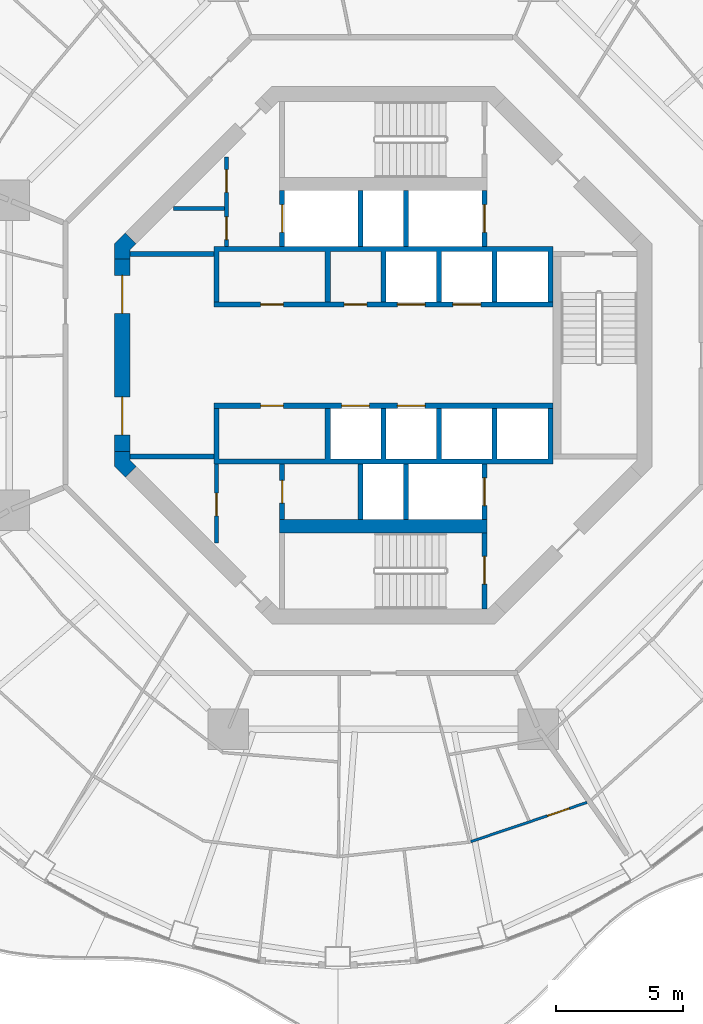
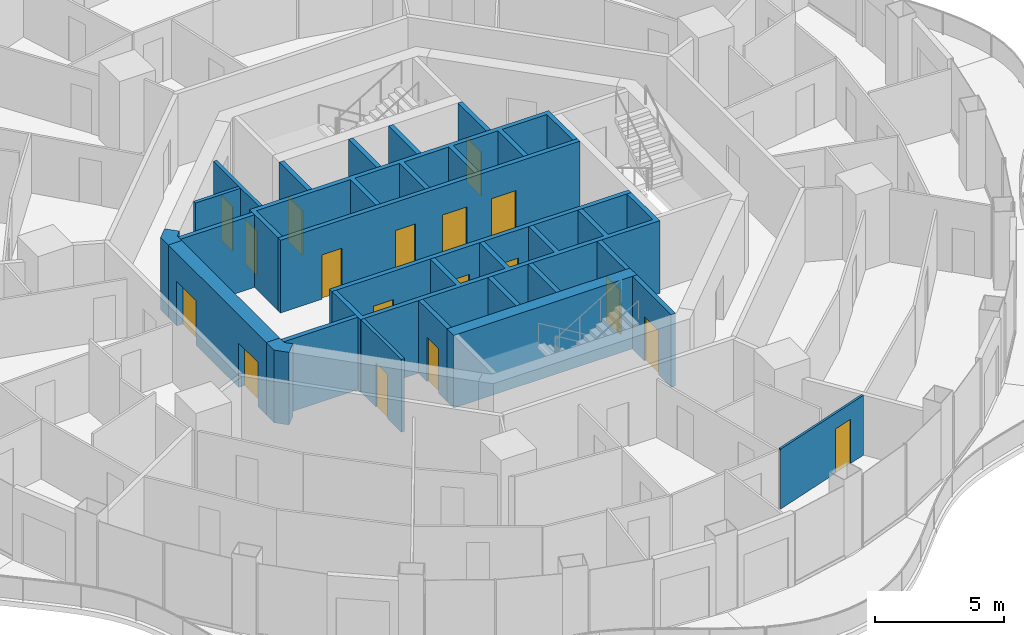
# One storey, part 11 of 18: 23 walls, 18 doors, 18 openings.
"""IFC4 building model written with IfcOpenShell, lengths in metres."""

from ifc_helpers import new_model, si_unit, direction, frame, frame_2d, origin, place, context, subcontext, project, spatial, polyline, rectangle, outline, extrude, material, layer, layer_set, type_object, element, fill, save


model = new_model("IFC4")

# Units and contexts
model_context = context("Model", 3, precision=1e-05, world=origin(), true_north=direction((0.0, 1.0)))
body_context = subcontext(model_context, "Body", "Model", "MODEL_VIEW")
ifc_project = project(units=[si_unit("LENGTHUNIT", "METRE"), si_unit("AREAUNIT", "SQUARE_METRE"), si_unit("VOLUMEUNIT", "CUBIC_METRE"), si_unit("PLANEANGLEUNIT", "RADIAN"), si_unit("MASSUNIT", "GRAM", prefix="KILO")], contexts=[model_context])

# Site, building, storey
site_placement = place(None, origin())
site = spatial("IfcSite", under=ifc_project, at=site_placement, CompositionType="ELEMENT")
building_placement = place(site_placement, origin())
building = spatial("IfcBuilding", under=site, at=building_placement, Name="Nagisa Residences", CompositionType="ELEMENT")
storey_placement = place(building_placement, frame((0.0, 0.0, 219.60009765625)))
storey = spatial("IfcBuildingStorey", under=building, at=storey_placement, Name="L55", CompositionType="ELEMENT", Elevation=219.60009765625)

# Wall, opening, door
ifc_material_1 = material(Name="Gypsum board on steel studs", Category="steel")
ifc_layer_1 = layer(ifc_material_1, 0.10009765625)
ifc_layer_set_1 = layer_set([ifc_layer_1], Name="Apartment partition 100")
wall_type_1 = type_object("IfcWallType", Name="Apartment partition 100", PredefinedType="PARTITIONING", material=ifc_layer_set_1)
wall_1_placement = place(storey_placement, frame((3.453125, -19.228759765625, 0.0), z_axis=(0.0, 0.0, 1.0), x_axis=(0.947565610716, 0.31956128268, 0.0)))
wall_1 = element("IfcWall", 1, at=wall_1_placement, inside=storey, type_object=wall_type_1, Name="wall:L55:u80", PredefinedType="PARTITIONING", context=body_context, shape_type="SweptSolid", body=[
    extrude(rectangle(XDim=4.852783203125, YDim=0.10009765625, at=frame_2d((2.42626953125, 0.0))), origin(), (0.0, 0.0, 1.0), 2.8369140625),
])
opening_1_placement = place(wall_1_placement, frame((3.2021484375, 0.0, 0.0)))
opening_1 = element("IfcOpeningElement", 2, at=opening_1_placement, cuts=wall_1, Name="Opening L55-U38", PredefinedType="OPENING", context=body_context, shape_type="SweptSolid", body=[
    extrude(rectangle(XDim=0.89990234375, YDim=2.10009765625, at=frame_2d((0.449951171875, 1.050048828125))), frame((0.0, 0.06005859375, 0.0), z_axis=(0.0, -1.0, 0.0), x_axis=(1.0, 0.0, 0.0)), (0.0, 0.0, 1.0), 0.1201171875),
])
ifc_material_2 = material(Name="Timber door set", Category="wood")
door_type_1 = type_object("IfcDoorType", Name="Apartment door 900x2100", OperationType="NOTDEFINED", PredefinedType="DOOR", material=ifc_material_2)
door_1_placement = place(opening_1_placement, origin())
door_1 = element("IfcDoor", 3, at=door_1_placement, inside=storey, type_object=door_type_1, Name="Door to en-suite bathroom, Apartment 55C", OperationType="SINGLE_SWING_RIGHT", OverallHeight=2.10009765625, OverallWidth=0.89990234375, PredefinedType="DOOR", context=body_context, shape_type="SweptSolid", body=[
    extrude(rectangle(XDim=0.89990234375, YDim=2.10009765625, at=frame_2d((0.449951171875, 1.050048828125))), frame((0.0, 0.02490234375, 0.0), z_axis=(0.0, -1.0, 0.0), x_axis=(1.0, 0.0, 0.0)), (0.0, 0.0, 1.0), 0.050048828125),
])
fill(opening_1, door_1)

# Wall, openings, doors
ifc_material_3 = material(Name="Gypsum board on steel studs", Category="steel")
ifc_layer_2 = layer(ifc_material_3, 0.14990234375)
ifc_layer_set_2 = layer_set([ifc_layer_2], Name="Core partition 150")
wall_type_2 = type_object("IfcWallType", Name="Core partition 150", PredefinedType="PARTITIONING", material=ifc_layer_set_2)
wall_2_placement = place(storey_placement, frame((-6.199951171875, 4.300048828125, 0.0), z_axis=(0.0, 0.0, 1.0), x_axis=(0.0, 1.0, 0.0)))
wall_2 = element("IfcWall", 4, at=wall_2_placement, inside=storey, type_object=wall_type_2, Name="wall:L55:NWp", PredefinedType="PARTITIONING", context=body_context, shape_type="SweptSolid", body=[
    extrude(rectangle(XDim=3.52685546875, YDim=0.14990234375, at=frame_2d((1.763427734375, 0.0))), origin(), (0.0, 0.0, 1.0), 3.43994140625),
])
opening_2_placement = place(wall_2_placement, frame((0.262451171875, 0.0, 0.0)))
opening_2 = element("IfcOpeningElement", 5, at=opening_2_placement, cuts=wall_2, Name="Opening L55-C11", PredefinedType="OPENING", context=body_context, shape_type="SweptSolid", body=[
    extrude(rectangle(XDim=0.89990234375, YDim=2.10009765625, at=frame_2d((0.449951171875, 1.050048828125))), frame((0.0, 0.0849609375, 0.0), z_axis=(0.0, -1.0, 0.0), x_axis=(1.0, 0.0, 0.0)), (0.0, 0.0, 1.0), 0.169921875),
])
opening_3_placement = place(wall_2_placement, frame((2.138427734375, 0.0, 0.0)))
opening_3 = element("IfcOpeningElement", 6, at=opening_3_placement, cuts=wall_2, Name="Opening L55-C12", PredefinedType="OPENING", context=body_context, shape_type="SweptSolid", body=[
    extrude(rectangle(XDim=0.89990234375, YDim=2.10009765625, at=frame_2d((0.449951171875, 1.050048828125))), frame((0.0, 0.0849609375, 0.0), z_axis=(0.0, -1.0, 0.0), x_axis=(1.0, 0.0, 0.0)), (0.0, 0.0, 1.0), 0.169921875),
])
ifc_material_4 = material(Name="Steel fire door", Category="steel")
door_type_2 = type_object("IfcDoorType", Name="Fire door EI30 900x2100 single swing", OperationType="NOTDEFINED", PredefinedType="DOOR", material=ifc_material_4)
door_2_placement = place(opening_2_placement, origin())
door_2 = element("IfcDoor", 7, at=door_2_placement, inside=storey, type_object=door_type_2, Name="Package room door L55", OperationType="SINGLE_SWING_RIGHT", OverallHeight=2.10009765625, OverallWidth=0.89990234375, PredefinedType="DOOR", context=body_context, shape_type="SweptSolid", body=[
    extrude(rectangle(XDim=0.89990234375, YDim=2.10009765625, at=frame_2d((0.449951171875, 1.050048828125))), frame((0.0, 0.02490234375, 0.0), z_axis=(0.0, -1.0, 0.0), x_axis=(1.0, 0.0, 0.0)), (0.0, 0.0, 1.0), 0.050048828125),
])
fill(opening_2, door_2)
door_3_placement = place(opening_3_placement, origin())
door_3 = element("IfcDoor", 8, at=door_3_placement, inside=storey, type_object=door_type_2, Name="Valet store door L55", OperationType="SINGLE_SWING_RIGHT", OverallHeight=2.10009765625, OverallWidth=0.89990234375, PredefinedType="DOOR", context=body_context, shape_type="SweptSolid", body=[
    extrude(rectangle(XDim=0.89990234375, YDim=2.10009765625, at=frame_2d((0.449951171875, 1.050048828125))), frame((0.0, 0.02490234375, 0.0), z_axis=(0.0, -1.0, 0.0), x_axis=(1.0, 0.0, 0.0)), (0.0, 0.0, 1.0), 0.050048828125),
])
fill(opening_3, door_3)

# Wall, opening, door
wall_3_placement = place(storey_placement, frame((-6.60009765625, -7.427001953125, 0.0), z_axis=(0.0, 0.0, 1.0), x_axis=(0.0, 1.0, 0.0)))
wall_3 = element("IfcWall", 9, at=wall_3_placement, inside=storey, type_object=wall_type_2, Name="wall:L55:SWp", PredefinedType="PARTITIONING", context=body_context, shape_type="SweptSolid", body=[
    extrude(rectangle(XDim=3.126953125, YDim=0.14990234375, at=frame_2d((1.5634765625, 0.0))), origin(), (0.0, 0.0, 1.0), 3.43994140625),
])
opening_4_placement = place(wall_3_placement, frame((1.075927734375, 0.0, 0.0)))
opening_4 = element("IfcOpeningElement", 10, at=opening_4_placement, cuts=wall_3, Name="Opening L55-C13", PredefinedType="OPENING", context=body_context, shape_type="SweptSolid", body=[
    extrude(rectangle(XDim=0.89990234375, YDim=2.10009765625, at=frame_2d((0.449951171875, 1.050048828125))), frame((0.0, 0.0849609375, 0.0), z_axis=(0.0, -1.0, 0.0), x_axis=(1.0, 0.0, 0.0)), (0.0, 0.0, 1.0), 0.169921875),
])
door_4_placement = place(opening_4_placement, origin())
door_4 = element("IfcDoor", 11, at=door_4_placement, inside=storey, type_object=door_type_2, Name="Janitor door L55", OperationType="SINGLE_SWING_RIGHT", OverallHeight=2.10009765625, OverallWidth=0.89990234375, PredefinedType="DOOR", context=body_context, shape_type="SweptSolid", body=[
    extrude(rectangle(XDim=0.89990234375, YDim=2.10009765625, at=frame_2d((0.449951171875, 1.050048828125))), frame((0.0, 0.02490234375, 0.0), z_axis=(0.0, -1.0, 0.0), x_axis=(1.0, 0.0, 0.0)), (0.0, 0.0, 1.0), 0.050048828125),
])
fill(opening_4, door_4)

# Walls
wall_4_placement = place(storey_placement, frame((-8.301025390625, 5.800048828125, 0.0), z_axis=(0.0, 0.0, 1.0), x_axis=(1.0, 0.0, 0.0)))
element("IfcWall", 12, at=wall_4_placement, inside=storey, type_object=wall_type_2, Name="wall:L55:NWq", PredefinedType="PARTITIONING", context=body_context, shape_type="SweptSolid", body=[
    extrude(rectangle(XDim=2.026123046875, YDim=0.14990234375, at=frame_2d((1.01318359375, 0.0))), origin(), (0.0, 0.0, 1.0), 3.43994140625),
])
ifc_material_5 = material(Name="Gypsum board on steel studs", Category="steel")
ifc_layer_3 = layer(ifc_material_5, 0.199951171875)
ifc_layer_set_3 = layer_set([ifc_layer_3], Name="Core partition 200")
wall_type_3 = type_object("IfcWallType", Name="Core partition 200", PredefinedType="PARTITIONING", material=ifc_layer_set_3)
for number, where, z_axis, x_axis, name in (
    (13, (-10.024658203125, -4.0, 0.0), (0.0, 0.0, 1.0), (1.0, 0.0, 0.0), "wall:L55:PSW"),
    (14, (-10.024658203125, 4.0, 0.0), (0.0, 0.0, 1.0), (1.0, 0.0, 0.0), "wall:L55:PNW"),
):
    element("IfcWall", number, at=place(storey_placement, frame(where, z_axis=z_axis, x_axis=x_axis)), inside=storey, type_object=wall_type_3, Name=name, PredefinedType="PARTITIONING", context=body_context, shape_type="SweptSolid", body=[
        extrude(rectangle(XDim=3.32470703125, YDim=0.199951171875, at=frame_2d((1.662353515625, 0.0))), origin(), (0.0, 0.0, 1.0), 3.43994140625),
    ])

# Wall, openings, doors
ifc_material_6 = material(Name="Concrete C60", Category="concrete")
ifc_layer_4 = layer(ifc_material_6, 0.60009765625)
ifc_layer_set_4 = layer_set([ifc_layer_4], Name="Core shear wall 600")
wall_type_4 = type_object("IfcWallType", Name="Core shear wall 600", PredefinedType="SHEAR", material=ifc_layer_set_4)
wall_5_placement = place(storey_placement, frame((-10.32470703125, 3.80078125, 0.0), z_axis=(0.0, 0.0, 1.0), x_axis=(0.0, -1.0, 0.0)))
wall_5 = element("IfcWall", 15, at=wall_5_placement, inside=storey, type_object=wall_type_4, Name="wall:L55:core:flat4", PredefinedType="SHEAR", context=body_context, shape_type="SweptSolid", body=[
    extrude(rectangle(XDim=7.6015625, YDim=0.60009765625, at=frame_2d((3.80078125, 0.0))), origin(), (0.0, 0.0, 1.0), 3.43994140625),
])
opening_5_placement = place(wall_5_placement, frame((0.65087890625, 0.0, 0.0)))
opening_5 = element("IfcOpeningElement", 16, at=opening_5_placement, cuts=wall_5, Name="Opening L55-C20", PredefinedType="OPENING", context=body_context, shape_type="SweptSolid", body=[
    extrude(rectangle(XDim=1.5, YDim=2.10009765625, at=frame_2d((0.75, 1.050048828125))), frame((0.0, 0.31005859375, 0.0), z_axis=(0.0, -1.0, 0.0), x_axis=(1.0, 0.0, 0.0)), (0.0, 0.0, 1.0), 0.6201171875),
])
opening_6_placement = place(wall_5_placement, frame((5.450927734375, 0.0, 0.0)))
opening_6 = element("IfcOpeningElement", 17, at=opening_6_placement, cuts=wall_5, Name="Opening L55-C21", PredefinedType="OPENING", context=body_context, shape_type="SweptSolid", body=[
    extrude(rectangle(XDim=1.5, YDim=2.10009765625, at=frame_2d((0.75, 1.050048828125))), frame((0.0, 0.31005859375, 0.0), z_axis=(0.0, -1.0, 0.0), x_axis=(1.0, 0.0, 0.0)), (0.0, 0.0, 1.0), 0.6201171875),
])
ifc_material_7 = material(Name="Steel fire door", Category="steel")
door_type_3 = type_object("IfcDoorType", Name="Fire door EI60 1500x2100 double door single swing", OperationType="DOUBLE_DOOR_SINGLE_SWING", PredefinedType="DOOR", material=ifc_material_7)
door_5_placement = place(opening_5_placement, origin())
door_5 = element("IfcDoor", 18, at=door_5_placement, inside=storey, type_object=door_type_3, Name="Lift lobby door L55 1", OperationType="DOUBLE_DOOR_SINGLE_SWING", OverallHeight=2.10009765625, OverallWidth=1.5, PredefinedType="DOOR", context=body_context, shape_type="SweptSolid", body=[
    extrude(rectangle(XDim=1.5, YDim=2.10009765625, at=frame_2d((0.75, 1.050048828125))), frame((0.0, 0.02490234375, 0.0), z_axis=(0.0, -1.0, 0.0), x_axis=(1.0, 0.0, 0.0)), (0.0, 0.0, 1.0), 0.050048828125),
])
fill(opening_5, door_5)
door_6_placement = place(opening_6_placement, origin())
door_6 = element("IfcDoor", 19, at=door_6_placement, inside=storey, type_object=door_type_3, Name="Lift lobby door L55 2", OperationType="DOUBLE_DOOR_SINGLE_SWING", OverallHeight=2.10009765625, OverallWidth=1.5, PredefinedType="DOOR", context=body_context, shape_type="SweptSolid", body=[
    extrude(rectangle(XDim=1.5, YDim=2.10009765625, at=frame_2d((0.75, 1.050048828125))), frame((0.0, 0.02490234375, 0.0), z_axis=(0.0, -1.0, 0.0), x_axis=(1.0, 0.0, 0.0)), (0.0, 0.0, 1.0), 0.050048828125),
])
fill(opening_6, door_6)

# Walls
wall_6_placement = place(storey_placement, origin())
element("IfcWall", 20, at=wall_6_placement, inside=storey, type_object=wall_type_4, Name="wall:L55:core:pier4", PredefinedType="SHEAR", context=body_context, shape_type="SweptSolid", body=[
    extrude(outline(polyline([(-10.62451171875, -3.80078125), (-10.024658203125, -3.80078125), (-10.024658203125, -4.15234375), (-9.776123046875, -4.40087890625), (-10.200439453125, -4.8251953125), (-10.62451171875, -4.40087890625), (-10.62451171875, -3.80078125)])), origin(), (0.0, 0.0, 1.0), 3.43994140625),
])
wall_7_placement = place(storey_placement, origin())
element("IfcWall", 21, at=wall_7_placement, inside=storey, type_object=wall_type_4, Name="wall:L55:core:pier3", PredefinedType="SHEAR", context=body_context, shape_type="SweptSolid", body=[
    extrude(outline(polyline([(-10.200439453125, 4.8251953125), (-9.776123046875, 4.40087890625), (-10.024658203125, 4.15234375), (-10.024658203125, 3.80078125), (-10.62451171875, 3.80078125), (-10.62451171875, 4.40087890625), (-10.200439453125, 4.8251953125)])), origin(), (0.0, 0.0, 1.0), 3.43994140625),
])

# Wall, opening, door
ifc_material_8 = material(Name="Concrete C60", Category="concrete")
ifc_layer_5 = layer(ifc_material_8, 0.199951171875)
ifc_layer_set_5 = layer_set([ifc_layer_5], Name="Lift shaft wall 200")
wall_type_5 = type_object("IfcWallType", Name="Lift shaft wall 200", PredefinedType="SOLIDWALL", material=ifc_layer_set_5)
wall_8_placement = place(storey_placement, frame((4.0, 4.300048828125, 0.0), z_axis=(0.0, 0.0, 1.0), x_axis=(0.0, 1.0, 0.0)))
wall_8 = element("IfcWall", 22, at=wall_8_placement, inside=storey, type_object=wall_type_5, Name="wall:L55:Nb3", PredefinedType="SOLIDWALL", context=body_context, shape_type="SweptSolid", body=[
    extrude(rectangle(XDim=2.199951171875, YDim=0.199951171875, at=frame_2d((1.10009765625, 0.0))), origin(), (0.0, 0.0, 1.0), 3.43994140625),
])
opening_7_placement = place(wall_8_placement, frame((0.550048828125, 0.0, 0.0)))
opening_7 = element("IfcOpeningElement", 23, at=opening_7_placement, cuts=wall_8, Name="Opening L55-C05", PredefinedType="OPENING", context=body_context, shape_type="SweptSolid", body=[
    extrude(rectangle(XDim=1.10009765625, YDim=2.10009765625, at=frame_2d((0.550048828125, 1.050048828125))), frame((0.0, 0.10986328125, 0.0), z_axis=(0.0, -1.0, 0.0), x_axis=(1.0, 0.0, 0.0)), (0.0, 0.0, 1.0), 0.219970703125),
])
ifc_material_9 = material(Name="Stainless steel", Category="steel")
door_type_4 = type_object("IfcDoorType", Name="Lift landing door 1100x2100", OperationType="DOUBLE_DOOR_SLIDING", PredefinedType="DOOR", material=ifc_material_9)
door_7_placement = place(opening_7_placement, origin())
door_7 = element("IfcDoor", 24, at=door_7_placement, inside=storey, type_object=door_type_4, Name="Landing door FL1 L55", OperationType="DOUBLE_DOOR_SLIDING", OverallHeight=2.10009765625, OverallWidth=1.10009765625, PredefinedType="DOOR", context=body_context, shape_type="SweptSolid", body=[
    extrude(rectangle(XDim=1.10009765625, YDim=2.10009765625, at=frame_2d((0.550048828125, 1.050048828125))), frame((0.0, 0.02490234375, 0.0), z_axis=(0.0, -1.0, 0.0), x_axis=(1.0, 0.0, 0.0)), (0.0, 0.0, 1.0), 0.050048828125),
])
fill(opening_7, door_7)

wall_9_placement = place(storey_placement, frame((-4.0, 4.300048828125, 0.0), z_axis=(0.0, 0.0, 1.0), x_axis=(0.0, 1.0, 0.0)))
wall_9 = element("IfcWall", 25, at=wall_9_placement, inside=storey, type_object=wall_type_5, Name="wall:L55:Nb4", PredefinedType="SOLIDWALL", context=body_context, shape_type="SweptSolid", body=[
    extrude(rectangle(XDim=2.199951171875, YDim=0.199951171875, at=frame_2d((1.10009765625, 0.0))), origin(), (0.0, 0.0, 1.0), 3.43994140625),
])
opening_8_placement = place(wall_9_placement, frame((0.550048828125, 0.0, 0.0)))
opening_8 = element("IfcOpeningElement", 26, at=opening_8_placement, cuts=wall_9, Name="Opening L55-C07", PredefinedType="OPENING", context=body_context, shape_type="SweptSolid", body=[
    extrude(rectangle(XDim=1.10009765625, YDim=2.10009765625, at=frame_2d((0.550048828125, 1.050048828125))), frame((0.0, 0.10986328125, 0.0), z_axis=(0.0, -1.0, 0.0), x_axis=(1.0, 0.0, 0.0)), (0.0, 0.0, 1.0), 0.219970703125),
])
door_8_placement = place(opening_8_placement, origin())
door_8 = element("IfcDoor", 27, at=door_8_placement, inside=storey, type_object=door_type_4, Name="Landing door SV L55", OperationType="DOUBLE_DOOR_SLIDING", OverallHeight=2.10009765625, OverallWidth=1.10009765625, PredefinedType="DOOR", context=body_context, shape_type="SweptSolid", body=[
    extrude(rectangle(XDim=1.10009765625, YDim=2.10009765625, at=frame_2d((0.550048828125, 1.050048828125))), frame((0.0, 0.02490234375, 0.0), z_axis=(0.0, -1.0, 0.0), x_axis=(1.0, 0.0, 0.0)), (0.0, 0.0, 1.0), 0.050048828125),
])
fill(opening_8, door_8)

# Wall, openings, doors
wall_10_placement = place(storey_placement, frame((-6.699951171875, 2.0, 0.0), z_axis=(0.0, 0.0, 1.0), x_axis=(1.0, 0.0, 0.0)))
wall_10 = element("IfcWall", 28, at=wall_10_placement, inside=storey, type_object=wall_type_5, Name="wall:L55:Nfront", PredefinedType="SOLIDWALL", context=body_context, shape_type="SweptSolid", body=[
    extrude(rectangle(XDim=13.39990234375, YDim=0.199951171875, at=frame_2d((6.699951171875, 0.0))), origin(), (0.0, 0.0, 1.0), 3.43994140625),
])
opening_9_placement = place(wall_10_placement, frame((7.25, 0.0, 0.0)))
opening_9 = element("IfcOpeningElement", 29, at=opening_9_placement, cuts=wall_10, Name="Opening L55-C01", PredefinedType="OPENING", context=body_context, shape_type="SweptSolid", body=[
    extrude(rectangle(XDim=1.10009765625, YDim=2.10009765625, at=frame_2d((0.550048828125, 1.050048828125))), frame((0.0, 0.10986328125, 0.0), z_axis=(0.0, -1.0, 0.0), x_axis=(1.0, 0.0, 0.0)), (0.0, 0.0, 1.0), 0.219970703125),
])
opening_10_placement = place(wall_10_placement, frame((9.449951171875, 0.0, 0.0)))
opening_10 = element("IfcOpeningElement", 30, at=opening_10_placement, cuts=wall_10, Name="Opening L55-C02", PredefinedType="OPENING", context=body_context, shape_type="SweptSolid", body=[
    extrude(rectangle(XDim=1.10009765625, YDim=2.10009765625, at=frame_2d((0.550048828125, 1.050048828125))), frame((0.0, 0.10986328125, 0.0), z_axis=(0.0, -1.0, 0.0), x_axis=(1.0, 0.0, 0.0)), (0.0, 0.0, 1.0), 0.219970703125),
])
opening_11_placement = place(wall_10_placement, frame((1.85009765625, 0.0, 0.0)))
opening_11 = element("IfcOpeningElement", 31, at=opening_11_placement, cuts=wall_10, Name="Opening L55-C15", PredefinedType="OPENING", context=body_context, shape_type="SweptSolid", body=[
    extrude(rectangle(XDim=0.89990234375, YDim=2.10009765625, at=frame_2d((0.449951171875, 1.050048828125))), frame((0.0, 0.10986328125, 0.0), z_axis=(0.0, -1.0, 0.0), x_axis=(1.0, 0.0, 0.0)), (0.0, 0.0, 1.0), 0.219970703125),
])
opening_12_placement = place(wall_10_placement, frame((5.14990234375, 0.0, 0.0)))
opening_12 = element("IfcOpeningElement", 32, at=opening_12_placement, cuts=wall_10, Name="Opening L55-C16", PredefinedType="OPENING", context=body_context, shape_type="SweptSolid", body=[
    extrude(rectangle(XDim=0.89990234375, YDim=2.10009765625, at=frame_2d((0.449951171875, 1.050048828125))), frame((0.0, 0.10986328125, 0.0), z_axis=(0.0, -1.0, 0.0), x_axis=(1.0, 0.0, 0.0)), (0.0, 0.0, 1.0), 0.219970703125),
])
door_9_placement = place(opening_11_placement, origin())
door_9 = element("IfcDoor", 33, at=door_9_placement, inside=storey, type_object=door_type_2, Name="Tea preparation door L55", OperationType="SINGLE_SWING_LEFT", OverallHeight=2.10009765625, OverallWidth=0.89990234375, PredefinedType="DOOR", context=body_context, shape_type="SweptSolid", body=[
    extrude(rectangle(XDim=0.89990234375, YDim=2.10009765625, at=frame_2d((0.449951171875, 1.050048828125))), frame((0.0, 0.02490234375, 0.0), z_axis=(0.0, -1.0, 0.0), x_axis=(1.0, 0.0, 0.0)), (0.0, 0.0, 1.0), 0.050048828125),
])
fill(opening_11, door_9)
door_10_placement = place(opening_12_placement, origin())
door_10 = element("IfcDoor", 34, at=door_10_placement, inside=storey, type_object=door_type_2, Name="Housekeeping store door L55", OperationType="SINGLE_SWING_LEFT", OverallHeight=2.10009765625, OverallWidth=0.89990234375, PredefinedType="DOOR", context=body_context, shape_type="SweptSolid", body=[
    extrude(rectangle(XDim=0.89990234375, YDim=2.10009765625, at=frame_2d((0.449951171875, 1.050048828125))), frame((0.0, 0.02490234375, 0.0), z_axis=(0.0, -1.0, 0.0), x_axis=(1.0, 0.0, 0.0)), (0.0, 0.0, 1.0), 0.050048828125),
])
fill(opening_12, door_10)
door_11_placement = place(opening_9_placement, origin())
door_11 = element("IfcDoor", 35, at=door_11_placement, inside=storey, type_object=door_type_4, Name="Landing door B1 L55", OperationType="DOUBLE_DOOR_SLIDING", OverallHeight=2.10009765625, OverallWidth=1.10009765625, PredefinedType="DOOR", context=body_context, shape_type="SweptSolid", body=[
    extrude(rectangle(XDim=1.10009765625, YDim=2.10009765625, at=frame_2d((0.550048828125, 1.050048828125))), frame((0.0, 0.02490234375, 0.0), z_axis=(0.0, -1.0, 0.0), x_axis=(1.0, 0.0, 0.0)), (0.0, 0.0, 1.0), 0.050048828125),
])
fill(opening_9, door_11)
door_12_placement = place(opening_10_placement, origin())
door_12 = element("IfcDoor", 36, at=door_12_placement, inside=storey, type_object=door_type_4, Name="Landing door B2 L55", OperationType="DOUBLE_DOOR_SLIDING", OverallHeight=2.10009765625, OverallWidth=1.10009765625, PredefinedType="DOOR", context=body_context, shape_type="SweptSolid", body=[
    extrude(rectangle(XDim=1.10009765625, YDim=2.10009765625, at=frame_2d((0.550048828125, 1.050048828125))), frame((0.0, 0.02490234375, 0.0), z_axis=(0.0, -1.0, 0.0), x_axis=(1.0, 0.0, 0.0)), (0.0, 0.0, 1.0), 0.050048828125),
])
fill(opening_10, door_12)

# Wall, opening, door
wall_11_placement = place(storey_placement, frame((4.0, -6.5, 0.0), z_axis=(0.0, 0.0, 1.0), x_axis=(0.0, 1.0, 0.0)))
wall_11 = element("IfcWall", 37, at=wall_11_placement, inside=storey, type_object=wall_type_5, Name="wall:L55:Sb3", PredefinedType="SOLIDWALL", context=body_context, shape_type="SweptSolid", body=[
    extrude(rectangle(XDim=2.199951171875, YDim=0.199951171875, at=frame_2d((1.10009765625, 0.0))), origin(), (0.0, 0.0, 1.0), 3.43994140625),
])
opening_13_placement = place(wall_11_placement, frame((0.550048828125, 0.0, 0.0)))
opening_13 = element("IfcOpeningElement", 38, at=opening_13_placement, cuts=wall_11, Name="Opening L55-C06", PredefinedType="OPENING", context=body_context, shape_type="SweptSolid", body=[
    extrude(rectangle(XDim=1.10009765625, YDim=2.10009765625, at=frame_2d((0.550048828125, 1.050048828125))), frame((0.0, 0.10986328125, 0.0), z_axis=(0.0, -1.0, 0.0), x_axis=(1.0, 0.0, 0.0)), (0.0, 0.0, 1.0), 0.219970703125),
])
door_13_placement = place(opening_13_placement, origin())
door_13 = element("IfcDoor", 39, at=door_13_placement, inside=storey, type_object=door_type_4, Name="Landing door FL2 L55", OperationType="DOUBLE_DOOR_SLIDING", OverallHeight=2.10009765625, OverallWidth=1.10009765625, PredefinedType="DOOR", context=body_context, shape_type="SweptSolid", body=[
    extrude(rectangle(XDim=1.10009765625, YDim=2.10009765625, at=frame_2d((0.550048828125, 1.050048828125))), frame((0.0, 0.02490234375, 0.0), z_axis=(0.0, -1.0, 0.0), x_axis=(1.0, 0.0, 0.0)), (0.0, 0.0, 1.0), 0.050048828125),
])
fill(opening_13, door_13)

wall_12_placement = place(storey_placement, frame((-4.0, -6.5, 0.0), z_axis=(0.0, 0.0, 1.0), x_axis=(0.0, 1.0, 0.0)))
wall_12 = element("IfcWall", 40, at=wall_12_placement, inside=storey, type_object=wall_type_5, Name="wall:L55:Sb4", PredefinedType="SOLIDWALL", context=body_context, shape_type="SweptSolid", body=[
    extrude(rectangle(XDim=2.199951171875, YDim=0.199951171875, at=frame_2d((1.10009765625, 0.0))), origin(), (0.0, 0.0, 1.0), 3.43994140625),
])
opening_14_placement = place(wall_12_placement, frame((0.64990234375, 0.0, 0.0)))
opening_14 = element("IfcOpeningElement", 41, at=opening_14_placement, cuts=wall_12, Name="Opening L55-C14", PredefinedType="OPENING", context=body_context, shape_type="SweptSolid", body=[
    extrude(rectangle(XDim=0.89990234375, YDim=2.10009765625, at=frame_2d((0.449951171875, 1.050048828125))), frame((0.0, 0.10986328125, 0.0), z_axis=(0.0, -1.0, 0.0), x_axis=(1.0, 0.0, 0.0)), (0.0, 0.0, 1.0), 0.219970703125),
])
door_14_placement = place(opening_14_placement, frame((0.89990234375, 0.0, 0.0), x_axis=(-1.0, 0.0, 0.0)))
door_14 = element("IfcDoor", 42, at=door_14_placement, inside=storey, type_object=door_type_2, Name="Refuse room door L55", OperationType="SINGLE_SWING_RIGHT", OverallHeight=2.10009765625, OverallWidth=0.89990234375, PredefinedType="DOOR", context=body_context, shape_type="SweptSolid", body=[
    extrude(rectangle(XDim=0.89990234375, YDim=2.10009765625, at=frame_2d((0.449951171875, 1.050048828125))), frame((0.0, 0.02490234375, 0.0), z_axis=(0.0, -1.0, 0.0), x_axis=(1.0, 0.0, 0.0)), (0.0, 0.0, 1.0), 0.050048828125),
])
fill(opening_14, door_14)

# Wall, openings, doors
wall_13_placement = place(storey_placement, frame((-6.699951171875, -2.0, 0.0), z_axis=(0.0, 0.0, 1.0), x_axis=(1.0, 0.0, 0.0)))
wall_13 = element("IfcWall", 43, at=wall_13_placement, inside=storey, type_object=wall_type_5, Name="wall:L55:Sfront", PredefinedType="SOLIDWALL", context=body_context, shape_type="SweptSolid", body=[
    extrude(rectangle(XDim=13.39990234375, YDim=0.199951171875, at=frame_2d((6.699951171875, 0.0))), origin(), (0.0, 0.0, 1.0), 3.43994140625),
])
opening_15_placement = place(wall_13_placement, frame((5.050048828125, 0.0, 0.0)))
opening_15 = element("IfcOpeningElement", 44, at=opening_15_placement, cuts=wall_13, Name="Opening L55-C03", PredefinedType="OPENING", context=body_context, shape_type="SweptSolid", body=[
    extrude(rectangle(XDim=1.10009765625, YDim=2.10009765625, at=frame_2d((0.550048828125, 1.050048828125))), frame((0.0, 0.10986328125, 0.0), z_axis=(0.0, -1.0, 0.0), x_axis=(1.0, 0.0, 0.0)), (0.0, 0.0, 1.0), 0.219970703125),
])
opening_16_placement = place(wall_13_placement, frame((7.25, 0.0, 0.0)))
opening_16 = element("IfcOpeningElement", 45, at=opening_16_placement, cuts=wall_13, Name="Opening L55-C04", PredefinedType="OPENING", context=body_context, shape_type="SweptSolid", body=[
    extrude(rectangle(XDim=1.10009765625, YDim=2.10009765625, at=frame_2d((0.550048828125, 1.050048828125))), frame((0.0, 0.10986328125, 0.0), z_axis=(0.0, -1.0, 0.0), x_axis=(1.0, 0.0, 0.0)), (0.0, 0.0, 1.0), 0.219970703125),
])
opening_17_placement = place(wall_13_placement, frame((1.85009765625, 0.0, 0.0)))
opening_17 = element("IfcOpeningElement", 46, at=opening_17_placement, cuts=wall_13, Name="Opening L55-C17", PredefinedType="OPENING", context=body_context, shape_type="SweptSolid", body=[
    extrude(rectangle(XDim=0.89990234375, YDim=2.10009765625, at=frame_2d((0.449951171875, 1.050048828125))), frame((0.0, 0.10986328125, 0.0), z_axis=(0.0, -1.0, 0.0), x_axis=(1.0, 0.0, 0.0)), (0.0, 0.0, 1.0), 0.219970703125),
])
door_15_placement = place(opening_17_placement, frame((0.89990234375, 0.0, 0.0), x_axis=(-1.0, 0.0, 0.0)))
door_15 = element("IfcDoor", 47, at=door_15_placement, inside=storey, type_object=door_type_2, Name="Owner storage door L55", OperationType="SINGLE_SWING_RIGHT", OverallHeight=2.10009765625, OverallWidth=0.89990234375, PredefinedType="DOOR", context=body_context, shape_type="SweptSolid", body=[
    extrude(rectangle(XDim=0.89990234375, YDim=2.10009765625, at=frame_2d((0.449951171875, 1.050048828125))), frame((0.0, 0.02490234375, 0.0), z_axis=(0.0, -1.0, 0.0), x_axis=(1.0, 0.0, 0.0)), (0.0, 0.0, 1.0), 0.050048828125),
])
fill(opening_17, door_15)
door_16_placement = place(opening_15_placement, origin())
door_16 = element("IfcDoor", 48, at=door_16_placement, inside=storey, type_object=door_type_4, Name="Landing door B3 L55", OperationType="DOUBLE_DOOR_SLIDING", OverallHeight=2.10009765625, OverallWidth=1.10009765625, PredefinedType="DOOR", context=body_context, shape_type="SweptSolid", body=[
    extrude(rectangle(XDim=1.10009765625, YDim=2.10009765625, at=frame_2d((0.550048828125, 1.050048828125))), frame((0.0, 0.02490234375, 0.0), z_axis=(0.0, -1.0, 0.0), x_axis=(1.0, 0.0, 0.0)), (0.0, 0.0, 1.0), 0.050048828125),
])
fill(opening_15, door_16)
door_17_placement = place(opening_16_placement, origin())
door_17 = element("IfcDoor", 49, at=door_17_placement, inside=storey, type_object=door_type_4, Name="Landing door B4 L55", OperationType="DOUBLE_DOOR_SLIDING", OverallHeight=2.10009765625, OverallWidth=1.10009765625, PredefinedType="DOOR", context=body_context, shape_type="SweptSolid", body=[
    extrude(rectangle(XDim=1.10009765625, YDim=2.10009765625, at=frame_2d((0.550048828125, 1.050048828125))), frame((0.0, 0.02490234375, 0.0), z_axis=(0.0, -1.0, 0.0), x_axis=(1.0, 0.0, 0.0)), (0.0, 0.0, 1.0), 0.050048828125),
])
fill(opening_16, door_17)

# Walls
for number, where, z_axis, x_axis, name in (
    (50, (-0.89990234375, -6.5, 0.0), (0.0, 0.0, 1.0), (0.0, 1.0, 0.0), "wall:L55:Sb1"),
    (51, (0.89990234375, -6.5, 0.0), (0.0, 0.0, 1.0), (0.0, 1.0, 0.0), "wall:L55:Sb2"),
):
    element("IfcWall", number, at=place(storey_placement, frame(where, z_axis=z_axis, x_axis=x_axis)), inside=storey, type_object=wall_type_5, Name=name, PredefinedType="SOLIDWALL", context=body_context, shape_type="SweptSolid", body=[
        extrude(rectangle(XDim=2.199951171875, YDim=0.199951171875, at=frame_2d((1.10009765625, 0.0))), origin(), (0.0, 0.0, 1.0), 3.43994140625),
    ])
wall_14_placement = place(storey_placement, origin())
element("IfcWall", 52, at=wall_14_placement, inside=storey, type_object=wall_type_5, Name="wall:L55:Sback", PredefinedType="SOLIDWALL", context=body_context, shape_type="SweptSolid", body=[
    extrude(outline(polyline([(-6.699951171875, -2.10009765625), (-6.5, -2.10009765625), (-6.5, -4.10009765625), (-2.300048828125, -4.10009765625), (-2.300048828125, -2.10009765625), (-2.10009765625, -2.10009765625), (-2.10009765625, -4.10009765625), (-0.10009765625, -4.10009765625), (-0.10009765625, -2.10009765625), (0.10009765625, -2.10009765625), (0.10009765625, -4.10009765625), (2.10009765625, -4.10009765625), (2.10009765625, -2.10009765625), (2.300048828125, -2.10009765625), (2.300048828125, -4.10009765625), (4.300048828125, -4.10009765625), (4.300048828125, -2.10009765625), (4.5, -2.10009765625), (4.5, -4.10009765625), (6.5, -4.10009765625), (6.5, -2.10009765625), (6.699951171875, -2.10009765625), (6.699951171875, -4.300048828125), (-6.699951171875, -4.300048828125), (-6.699951171875, -2.10009765625)])), origin(), (0.0, 0.0, 1.0), 3.43994140625),
])
for number, where, z_axis, x_axis, name in (
    (53, (-0.89990234375, 4.300048828125, 0.0), (0.0, 0.0, 1.0), (0.0, 1.0, 0.0), "wall:L55:Nb1"),
    (54, (0.89990234375, 4.300048828125, 0.0), (0.0, 0.0, 1.0), (0.0, 1.0, 0.0), "wall:L55:Nb2"),
):
    element("IfcWall", number, at=place(storey_placement, frame(where, z_axis=z_axis, x_axis=x_axis)), inside=storey, type_object=wall_type_5, Name=name, PredefinedType="SOLIDWALL", context=body_context, shape_type="SweptSolid", body=[
        extrude(rectangle(XDim=2.199951171875, YDim=0.199951171875, at=frame_2d((1.10009765625, 0.0))), origin(), (0.0, 0.0, 1.0), 3.43994140625),
    ])
wall_15_placement = place(storey_placement, origin())
element("IfcWall", 55, at=wall_15_placement, inside=storey, type_object=wall_type_5, Name="wall:L55:Nback", PredefinedType="SOLIDWALL", context=body_context, shape_type="SweptSolid", body=[
    extrude(outline(polyline([(-6.699951171875, 4.300048828125), (6.699951171875, 4.300048828125), (6.699951171875, 2.10009765625), (6.5, 2.10009765625), (6.5, 4.10009765625), (4.5, 4.10009765625), (4.5, 2.10009765625), (4.300048828125, 2.10009765625), (4.300048828125, 4.10009765625), (2.300048828125, 4.10009765625), (2.300048828125, 2.10009765625), (2.10009765625, 2.10009765625), (2.10009765625, 4.10009765625), (0.10009765625, 4.10009765625), (0.10009765625, 2.10009765625), (-0.10009765625, 2.10009765625), (-0.10009765625, 4.10009765625), (-2.10009765625, 4.10009765625), (-2.10009765625, 2.10009765625), (-2.300048828125, 2.10009765625), (-2.300048828125, 4.10009765625), (-6.5, 4.10009765625), (-6.5, 2.10009765625), (-6.699951171875, 2.10009765625), (-6.699951171875, 4.300048828125)])), origin(), (0.0, 0.0, 1.0), 3.43994140625),
])

# Wall, opening, door
ifc_material_10 = material(Name="Concrete C60", Category="concrete")
ifc_layer_6 = layer(ifc_material_10, 0.199951171875)
ifc_layer_set_6 = layer_set([ifc_layer_6], Name="Stair enclosure wall 200")
wall_type_6 = type_object("IfcWallType", Name="Stair enclosure wall 200", PredefinedType="SOLIDWALL", material=ifc_layer_set_6)
wall_16_placement = place(storey_placement, frame((4.0, -10.024658203125, 0.0), z_axis=(0.0, 0.0, 1.0), x_axis=(0.0, 1.0, 0.0)))
wall_16 = element("IfcWall", 56, at=wall_16_placement, inside=storey, type_object=wall_type_6, Name="wall:L55:SS_e", PredefinedType="SOLIDWALL", context=body_context, shape_type="SweptSolid", body=[
    extrude(rectangle(XDim=3.0, YDim=0.199951171875, at=frame_2d((1.5, 0.0))), origin(), (0.0, 0.0, 1.0), 3.43994140625),
])
opening_18_placement = place(wall_16_placement, frame((0.974609375, 0.0, 0.0)))
opening_18 = element("IfcOpeningElement", 57, at=opening_18_placement, cuts=wall_16, Name="Opening L55-C10", PredefinedType="OPENING", context=body_context, shape_type="SweptSolid", body=[
    extrude(rectangle(XDim=1.10009765625, YDim=2.10009765625, at=frame_2d((0.550048828125, 1.050048828125))), frame((0.0, 0.10986328125, 0.0), z_axis=(0.0, -1.0, 0.0), x_axis=(1.0, 0.0, 0.0)), (0.0, 0.0, 1.0), 0.219970703125),
])
ifc_material_11 = material(Name="Steel fire door", Category="steel")
door_type_5 = type_object("IfcDoorType", Name="Fire door EI90 1100x2100 single swing", OperationType="NOTDEFINED", PredefinedType="DOOR", material=ifc_material_11)
door_18_placement = place(opening_18_placement, origin())
door_18 = element("IfcDoor", 58, at=door_18_placement, inside=storey, type_object=door_type_5, Name="Stair door ST-S L55", OperationType="SINGLE_SWING_RIGHT", OverallHeight=2.10009765625, OverallWidth=1.10009765625, PredefinedType="DOOR", context=body_context, shape_type="SweptSolid", body=[
    extrude(rectangle(XDim=1.10009765625, YDim=2.10009765625, at=frame_2d((0.550048828125, 1.050048828125))), frame((0.0, 0.02490234375, 0.0), z_axis=(0.0, -1.0, 0.0), x_axis=(1.0, 0.0, 0.0)), (0.0, 0.0, 1.0), 0.050048828125),
])
fill(opening_18, door_18)

# Wall
wall_17_placement = place(storey_placement, origin())
element("IfcWall", 59, at=wall_17_placement, inside=storey, type_object=wall_type_6, Name="wall:L55:SS_n", PredefinedType="SOLIDWALL", context=body_context, shape_type="SweptSolid", body=[
    extrude(outline(polyline([(4.10009765625, -7.024658203125), (-4.10009765625, -7.024658203125), (-4.10009765625, -6.5), (4.10009765625, -6.5), (4.10009765625, -7.024658203125)])), origin(), (0.0, 0.0, 1.0), 3.43994140625),
])

save(model, "model.ifc")
